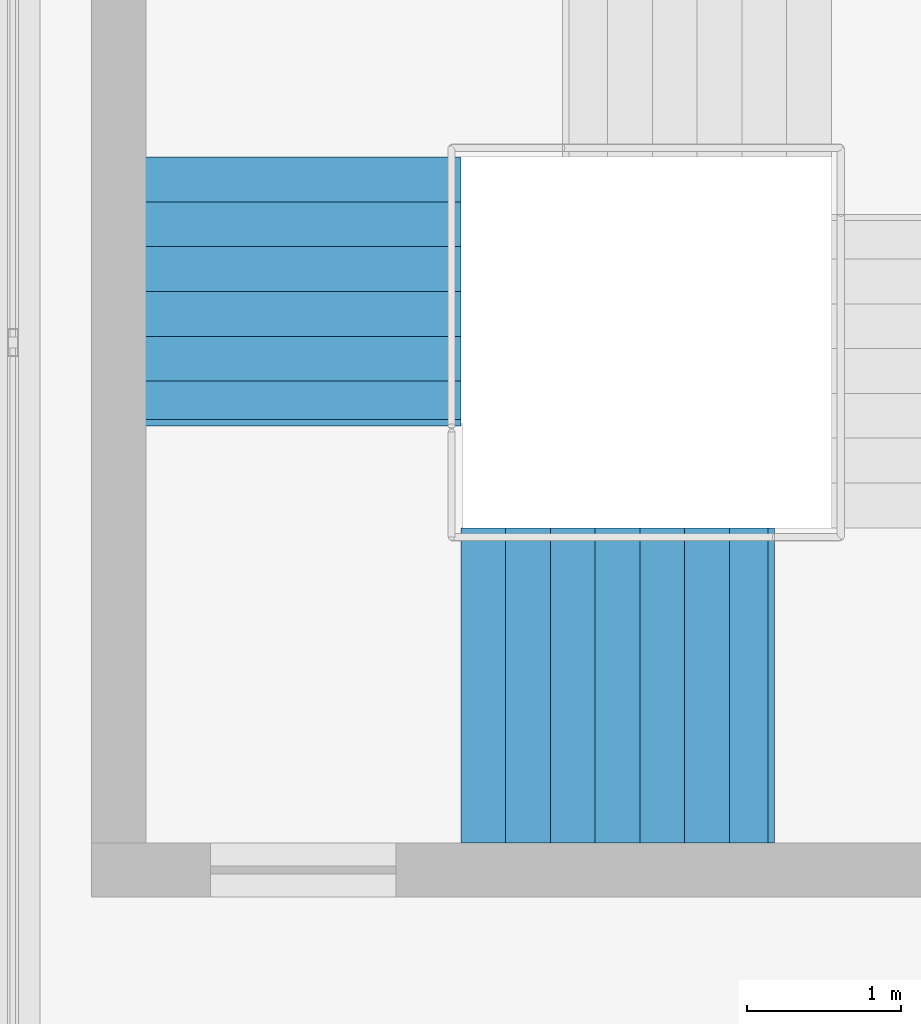
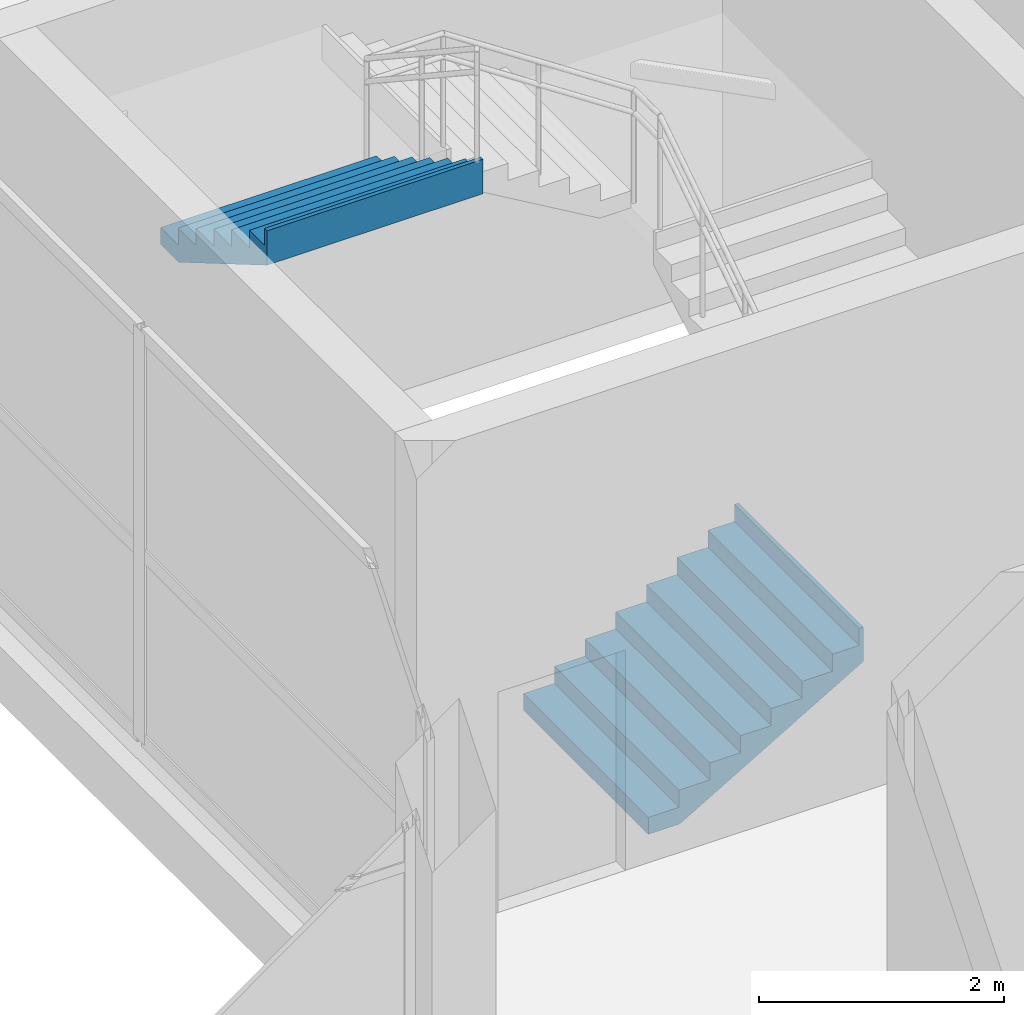
# One storey, part 53 of 58: 2 stair flights, 1 element without a shape of its own.
"""IFC4 building model written with IfcOpenShell, lengths in metres."""

from ifc_helpers import new_model, si_unit, direction, frame, origin, place, context, subcontext, project, spatial, triangles, material, type_object, element, aggregate, save


model = new_model("IFC4")

# Units and contexts
model_context = context("Model", 3, precision=1e-05, world=origin(), true_north=direction((0.0, 1.0)))
body_context = subcontext(model_context, "Body", "Model", "MODEL_VIEW")
ifc_project = project(units=[si_unit("LENGTHUNIT", "METRE"), si_unit("AREAUNIT", "SQUARE_METRE"), si_unit("VOLUMEUNIT", "CUBIC_METRE"), si_unit("PLANEANGLEUNIT", "RADIAN"), si_unit("MASSUNIT", "GRAM", prefix="KILO")], contexts=[model_context])

# Site, building, storey
site_placement = place(None, origin())
site = spatial("IfcSite", under=ifc_project, at=site_placement, CompositionType="ELEMENT")
building_placement = place(site_placement, origin())
building = spatial("IfcBuilding", under=site, at=building_placement, Name="Sillaruma Civic Art Gallery", CompositionType="ELEMENT")
storey_placement = place(building_placement, frame((0.0, 0.0, 52.02001953125)))
storey = spatial("IfcBuildingStorey", under=building, at=storey_placement, Name="L10", CompositionType="ELEMENT", Elevation=52.02001953125)

# Stair, stair flights
ifc_material = material(Name="Concrete H35 (35 MPa)", Category="concrete")
stair_type = type_object("IfcStairType", Name="STR-4F-30", PredefinedType="USERDEFINED", material=ifc_material)
stair_placement = place(storey_placement, origin())
stair = element("IfcStair", 1, at=stair_placement, inside=storey, type_object=stair_type, Name="Protected Exit Stair ST-04 (East Bar) (L10)", ObjectType="THREE_RETURN_STAIR", PredefinedType="USERDEFINED")
stair_flight_type_1 = type_object("IfcStairFlightType", Name="SFL-STR-7", PredefinedType="STRAIGHT", material=ifc_material)
stair_flight_1_placement = place(storey_placement, frame((99.8798828125, 55.64990234375, 3.909912109375), z_axis=(0.0, 0.0, 1.0), x_axis=(0.0, -1.0, 0.0)))
stair_flight_1 = element("IfcStairFlight", 2, at=stair_flight_1_placement, type_object=stair_flight_type_1, Name="ST-04 flight 4", NumberOfRisers=7, NumberOfTreads=6, PredefinedType="STRAIGHT", RiserHeight=0.17, TreadLength=0.29, context=body_context, shape_type="Tessellation", body=[
    triangles([(0.0, -1.02001953125, 0.0), (0.29, -1.02001953125, 0.0), (0.296404, -1.02001953125, 0.0), (0.58, -1.02001953125, 0.166246), (0.87, -1.02001953125, 0.336246), (1.16, -1.02001953125, 0.506246), (1.45, -1.02001953125, 0.676246), (1.69999, -1.02001953125, 0.822792), (1.73999, -1.02001953125, 0.84624), (1.73999, -1.02001953125, 1.19), (1.69999, -1.02001953125, 1.19), (1.69999, -1.02001953125, 1.02), (1.45, -1.02001953125, 1.02), (1.45, -1.02001953125, 0.85), (1.16, -1.02001953125, 0.85), (1.16, -1.02001953125, 0.68), (0.87, -1.02001953125, 0.68), (0.87, -1.02001953125, 0.51), (0.58, -1.02001953125, 0.51), (0.58, -1.02001953125, 0.34), (0.296404, -1.02001953125, 0.34), (0.29, -1.02001953125, 0.34), (0.29, -1.02001953125, 0.17), (0.0, -1.02001953125, 0.17), (0.0, -0.05, 0.0), (0.29, -0.05, 0.0), (0.296404, -0.05, 0.0), (0.58, -0.05, 0.166246), (0.87, -0.05, 0.336246), (1.16, -0.05, 0.506246), (1.45, -0.05, 0.676246), (1.69999, -0.05, 0.822792), (1.73999, -0.05, 0.84624), (1.73999, -0.05, 1.19), (1.69999, -0.05, 1.19), (1.69999, -0.05, 1.02), (1.45, -0.05, 1.02), (1.45, -0.05, 0.85), (1.16, -0.05, 0.85), (1.16, -0.05, 0.68), (0.87, -0.05, 0.68), (0.87, -0.05, 0.51), (0.58, -0.05, 0.51), (0.58, -0.05, 0.34), (0.296404, -0.05, 0.34), (0.29, -0.05, 0.34), (0.29, -0.05, 0.17), (0.0, -0.05, 0.17), (0.0, -0.0375, 0.0), (0.29, -0.0375, 0.0), (0.296404, -0.0375, 0.0), (0.58, -0.0375, 0.166246), (0.87, -0.0375, 0.336246), (1.16, -0.0375, 0.506246), (1.45, -0.0375, 0.676246), (1.69999, -0.0375, 0.822792), (1.73999, -0.0375, 0.84624), (1.73999, -0.0375, 1.19), (1.69999, -0.0375, 1.19), (1.69999, -0.0375, 1.02), (1.45, -0.0375, 1.02), (1.45, -0.0375, 0.85), (1.16, -0.0375, 0.85), (1.16, -0.0375, 0.68), (0.87, -0.0375, 0.68), (0.87, -0.0375, 0.51), (0.58, -0.0375, 0.51), (0.58, -0.0375, 0.34), (0.296404, -0.0375, 0.34), (0.29, -0.0375, 0.34), (0.29, -0.0375, 0.17), (0.0, -0.0375, 0.17), (0.0, -0.025, 0.0), (0.29, -0.025, 0.0), (0.296404, -0.025, 0.0), (0.58, -0.025, 0.166246), (0.87, -0.025, 0.336246), (1.16, -0.025, 0.506246), (1.45, -0.025, 0.676246), (1.69999, -0.025, 0.822792), (1.73999, -0.025, 0.84624), (1.73999, -0.025, 1.19), (1.69999, -0.025, 1.19), (1.69999, -0.025, 1.02), (1.45, -0.025, 1.02), (1.45, -0.025, 0.85), (1.16, -0.025, 0.85), (1.16, -0.025, 0.68), (0.87, -0.025, 0.68), (0.87, -0.025, 0.51), (0.58, -0.025, 0.51), (0.58, -0.025, 0.34), (0.296404, -0.025, 0.34), (0.29, -0.025, 0.34), (0.29, -0.025, 0.17), (0.0, -0.025, 0.17), (0.0, -0.0125, 0.0), (0.29, -0.0125, 0.0), (0.296404, -0.0125, 0.0), (0.58, -0.0125, 0.166246), (0.87, -0.0125, 0.336246), (1.16, -0.0125, 0.506246), (1.45, -0.0125, 0.676246), (1.69999, -0.0125, 0.822792), (1.73999, -0.0125, 0.84624), (1.73999, -0.0125, 1.19), (1.69999, -0.0125, 1.19), (1.69999, -0.0125, 1.02), (1.45, -0.0125, 1.02), (1.45, -0.0125, 0.85), (1.16, -0.0125, 0.85), (1.16, -0.0125, 0.68), (0.87, -0.0125, 0.68), (0.87, -0.0125, 0.51), (0.58, -0.0125, 0.51), (0.58, -0.0125, 0.34), (0.296404, -0.0125, 0.34), (0.29, -0.0125, 0.34), (0.29, -0.0125, 0.17), (0.0, -0.0125, 0.17), (0.0, 0.0, 0.0), (0.29, 0.0, 0.0), (0.296404, 0.0, 0.0), (0.58, 0.0, 0.166246), (0.87, 0.0, 0.336246), (1.16, 0.0, 0.506246), (1.45, 0.0, 0.676246), (1.69999, 0.0, 0.822792), (1.73999, 0.0, 0.84624), (1.73999, 0.0, 1.19), (1.69999, 0.0, 1.19), (1.69999, 0.0, 1.02), (1.45, 0.0, 1.02), (1.45, 0.0, 0.85), (1.16, 0.0, 0.85), (1.16, 0.0, 0.68), (0.87, 0.0, 0.68), (0.87, 0.0, 0.51), (0.58, 0.0, 0.51), (0.58, 0.0, 0.34), (0.296404, 0.0, 0.34), (0.29, 0.0, 0.34), (0.29, 0.0, 0.17), (0.0, 0.0, 0.17), (0.0, 0.0125, 0.0), (0.29, 0.0125, 0.0), (0.296404, 0.0125, 0.0), (0.58, 0.0125, 0.166246), (0.87, 0.0125, 0.336246), (1.16, 0.0125, 0.506246), (1.45, 0.0125, 0.676246), (1.69999, 0.0125, 0.822792), (1.73999, 0.0125, 0.84624), (1.73999, 0.0125, 1.19), (1.69999, 0.0125, 1.19), (1.69999, 0.0125, 1.02), (1.45, 0.0125, 1.02), (1.45, 0.0125, 0.85), (1.16, 0.0125, 0.85), (1.16, 0.0125, 0.68), (0.87, 0.0125, 0.68), (0.87, 0.0125, 0.51), (0.58, 0.0125, 0.51), (0.58, 0.0125, 0.34), (0.296404, 0.0125, 0.34), (0.29, 0.0125, 0.34), (0.29, 0.0125, 0.17), (0.0, 0.0125, 0.17), (0.0, 0.025, 0.0), (0.29, 0.025, 0.0), (0.296404, 0.025, 0.0), (0.58, 0.025, 0.166246), (0.87, 0.025, 0.336246), (1.16, 0.025, 0.506246), (1.45, 0.025, 0.676246), (1.69999, 0.025, 0.822792), (1.73999, 0.025, 0.84624), (1.73999, 0.025, 1.19), (1.69999, 0.025, 1.19), (1.69999, 0.025, 1.02), (1.45, 0.025, 1.02), (1.45, 0.025, 0.85), (1.16, 0.025, 0.85), (1.16, 0.025, 0.68), (0.87, 0.025, 0.68), (0.87, 0.025, 0.51), (0.58, 0.025, 0.51), (0.58, 0.025, 0.34), (0.296404, 0.025, 0.34), (0.29, 0.025, 0.34), (0.29, 0.025, 0.17), (0.0, 0.025, 0.17), (0.0, 0.0375, 0.0), (0.29, 0.0375, 0.0), (0.296404, 0.0375, 0.0), (0.58, 0.0375, 0.166246), (0.87, 0.0375, 0.336246), (1.16, 0.0375, 0.506246), (1.45, 0.0375, 0.676246), (1.69999, 0.0375, 0.822792), (1.73999, 0.0375, 0.84624), (1.73999, 0.0375, 1.19), (1.69999, 0.0375, 1.19), (1.69999, 0.0375, 1.02), (1.45, 0.0375, 1.02), (1.45, 0.0375, 0.85), (1.16, 0.0375, 0.85), (1.16, 0.0375, 0.68), (0.87, 0.0375, 0.68), (0.87, 0.0375, 0.51), (0.58, 0.0375, 0.51), (0.58, 0.0375, 0.34), (0.296404, 0.0375, 0.34), (0.29, 0.0375, 0.34), (0.29, 0.0375, 0.17), (0.0, 0.0375, 0.17), (0.0, 0.05, 0.0), (0.29, 0.05, 0.0), (0.296404, 0.05, 0.0), (0.58, 0.05, 0.166246), (0.87, 0.05, 0.336246), (1.16, 0.05, 0.506246), (1.45, 0.05, 0.676246), (1.69999, 0.05, 0.822792), (1.73999, 0.05, 0.84624), (1.73999, 0.05, 1.19), (1.69999, 0.05, 1.19), (1.69999, 0.05, 1.02), (1.45, 0.05, 1.02), (1.45, 0.05, 0.85), (1.16, 0.05, 0.85), (1.16, 0.05, 0.68), (0.87, 0.05, 0.68), (0.87, 0.05, 0.51), (0.58, 0.05, 0.51), (0.58, 0.05, 0.34), (0.296404, 0.05, 0.34), (0.29, 0.05, 0.34), (0.29, 0.05, 0.17), (0.0, 0.05, 0.17), (0.0, 1.02001953125, 0.0), (0.29, 1.02001953125, 0.0), (0.296404, 1.02001953125, 0.0), (0.58, 1.02001953125, 0.166246), (0.87, 1.02001953125, 0.336246), (1.16, 1.02001953125, 0.506246), (1.45, 1.02001953125, 0.676246), (1.69999, 1.02001953125, 0.822792), (1.73999, 1.02001953125, 0.84624), (1.73999, 1.02001953125, 1.19), (1.69999, 1.02001953125, 1.19), (1.69999, 1.02001953125, 1.02), (1.45, 1.02001953125, 1.02), (1.45, 1.02001953125, 0.85), (1.16, 1.02001953125, 0.85), (1.16, 1.02001953125, 0.68), (0.87, 1.02001953125, 0.68), (0.87, 1.02001953125, 0.51), (0.58, 1.02001953125, 0.51), (0.58, 1.02001953125, 0.34), (0.296404, 1.02001953125, 0.34), (0.29, 1.02001953125, 0.34), (0.29, 1.02001953125, 0.17), (0.0, 1.02001953125, 0.17)], [[1, 2, 23], [1, 23, 24], [2, 3, 21], [2, 21, 23], [23, 21, 22], [3, 4, 20], [3, 20, 21], [4, 5, 18], [4, 18, 20], [20, 18, 19], [5, 6, 16], [5, 16, 18], [18, 16, 17], [6, 7, 14], [6, 14, 16], [16, 14, 15], [7, 8, 12], [7, 12, 14], [14, 12, 13], [8, 9, 10], [8, 10, 12], [12, 10, 11], [263, 242, 241], [264, 263, 241], [261, 243, 242], [263, 261, 242], [262, 261, 263], [260, 244, 243], [261, 260, 243], [258, 245, 244], [260, 258, 244], [259, 258, 260], [256, 246, 245], [258, 256, 245], [257, 256, 258], [254, 247, 246], [256, 254, 246], [255, 254, 256], [252, 248, 247], [254, 252, 247], [253, 252, 254], [250, 249, 248], [252, 250, 248], [251, 250, 252], [2, 1, 25], [2, 25, 26], [3, 2, 26], [3, 26, 27], [4, 3, 27], [4, 27, 28], [5, 4, 28], [5, 28, 29], [6, 5, 29], [6, 29, 30], [7, 6, 30], [7, 30, 31], [8, 7, 31], [8, 31, 32], [9, 8, 32], [9, 32, 33], [10, 9, 33], [10, 33, 34], [11, 10, 34], [11, 34, 35], [12, 11, 35], [12, 35, 36], [13, 12, 36], [13, 36, 37], [14, 13, 37], [14, 37, 38], [15, 14, 38], [15, 38, 39], [16, 15, 39], [16, 39, 40], [17, 16, 40], [17, 40, 41], [18, 17, 41], [18, 41, 42], [19, 18, 42], [19, 42, 43], [20, 19, 43], [20, 43, 44], [21, 20, 44], [21, 44, 45], [22, 21, 45], [22, 45, 46], [23, 22, 46], [23, 46, 47], [24, 23, 47], [24, 47, 48], [1, 24, 48], [1, 48, 25], [26, 25, 49], [26, 49, 50], [27, 26, 50], [27, 50, 51], [28, 27, 51], [28, 51, 52], [29, 28, 52], [29, 52, 53], [30, 29, 53], [30, 53, 54], [31, 30, 54], [31, 54, 55], [32, 31, 55], [32, 55, 56], [33, 32, 56], [33, 56, 57], [34, 33, 57], [34, 57, 58], [35, 34, 58], [35, 58, 59], [36, 35, 59], [36, 59, 60], [37, 36, 60], [37, 60, 61], [38, 37, 61], [38, 61, 62], [39, 38, 62], [39, 62, 63], [40, 39, 63], [40, 63, 64], [41, 40, 64], [41, 64, 65], [42, 41, 65], [42, 65, 66], [43, 42, 66], [43, 66, 67], [44, 43, 67], [44, 67, 68], [45, 44, 68], [45, 68, 69], [46, 45, 69], [46, 69, 70], [47, 46, 70], [47, 70, 71], [48, 47, 71], [48, 71, 72], [25, 48, 72], [25, 72, 49], [50, 49, 73], [50, 73, 74], [51, 50, 74], [51, 74, 75], [52, 51, 75], [52, 75, 76], [53, 52, 76], [53, 76, 77], [54, 53, 77], [54, 77, 78], [55, 54, 78], [55, 78, 79], [56, 55, 79], [56, 79, 80], [57, 56, 80], [57, 80, 81], [58, 57, 81], [58, 81, 82], [59, 58, 82], [59, 82, 83], [60, 59, 83], [60, 83, 84], [61, 60, 84], [61, 84, 85], [62, 61, 85], [62, 85, 86], [63, 62, 86], [63, 86, 87], [64, 63, 87], [64, 87, 88], [65, 64, 88], [65, 88, 89], [66, 65, 89], [66, 89, 90], [67, 66, 90], [67, 90, 91], [68, 67, 91], [68, 91, 92], [69, 68, 92], [69, 92, 93], [70, 69, 93], [70, 93, 94], [71, 70, 94], [71, 94, 95], [72, 71, 95], [72, 95, 96], [49, 72, 96], [49, 96, 73], [74, 73, 97], [74, 97, 98], [75, 74, 98], [75, 98, 99], [76, 75, 99], [76, 99, 100], [77, 76, 100], [77, 100, 101], [78, 77, 101], [78, 101, 102], [79, 78, 102], [79, 102, 103], [80, 79, 103], [80, 103, 104], [81, 80, 104], [81, 104, 105], [82, 81, 105], [82, 105, 106], [83, 82, 106], [83, 106, 107], [84, 83, 107], [84, 107, 108], [85, 84, 108], [85, 108, 109], [86, 85, 109], [86, 109, 110], [87, 86, 110], [87, 110, 111], [88, 87, 111], [88, 111, 112], [89, 88, 112], [89, 112, 113], [90, 89, 113], [90, 113, 114], [91, 90, 114], [91, 114, 115], [92, 91, 115], [92, 115, 116], [93, 92, 116], [93, 116, 117], [94, 93, 117], [94, 117, 118], [95, 94, 118], [95, 118, 119], [96, 95, 119], [96, 119, 120], [73, 96, 120], [73, 120, 97], [98, 97, 121], [98, 121, 122], [99, 98, 122], [99, 122, 123], [100, 99, 123], [100, 123, 124], [101, 100, 124], [101, 124, 125], [102, 101, 125], [102, 125, 126], [103, 102, 126], [103, 126, 127], [104, 103, 127], [104, 127, 128], [105, 104, 128], [105, 128, 129], [106, 105, 129], [106, 129, 130], [107, 106, 130], [107, 130, 131], [108, 107, 131], [108, 131, 132], [109, 108, 132], [109, 132, 133], [110, 109, 133], [110, 133, 134], [111, 110, 134], [111, 134, 135], [112, 111, 135], [112, 135, 136], [113, 112, 136], [113, 136, 137], [114, 113, 137], [114, 137, 138], [115, 114, 138], [115, 138, 139], [116, 115, 139], [116, 139, 140], [117, 116, 140], [117, 140, 141], [118, 117, 141], [118, 141, 142], [119, 118, 142], [119, 142, 143], [120, 119, 143], [120, 143, 144], [97, 120, 144], [97, 144, 121], [122, 121, 145], [122, 145, 146], [123, 122, 146], [123, 146, 147], [124, 123, 147], [124, 147, 148], [125, 124, 148], [125, 148, 149], [126, 125, 149], [126, 149, 150], [127, 126, 150], [127, 150, 151], [128, 127, 151], [128, 151, 152], [129, 128, 152], [129, 152, 153], [130, 129, 153], [130, 153, 154], [131, 130, 154], [131, 154, 155], [132, 131, 155], [132, 155, 156], [133, 132, 156], [133, 156, 157], [134, 133, 157], [134, 157, 158], [135, 134, 158], [135, 158, 159], [136, 135, 159], [136, 159, 160], [137, 136, 160], [137, 160, 161], [138, 137, 161], [138, 161, 162], [139, 138, 162], [139, 162, 163], [140, 139, 163], [140, 163, 164], [141, 140, 164], [141, 164, 165], [142, 141, 165], [142, 165, 166], [143, 142, 166], [143, 166, 167], [144, 143, 167], [144, 167, 168], [121, 144, 168], [121, 168, 145], [146, 145, 169], [146, 169, 170], [147, 146, 170], [147, 170, 171], [148, 147, 171], [148, 171, 172], [149, 148, 172], [149, 172, 173], [150, 149, 173], [150, 173, 174], [151, 150, 174], [151, 174, 175], [152, 151, 175], [152, 175, 176], [153, 152, 176], [153, 176, 177], [154, 153, 177], [154, 177, 178], [155, 154, 178], [155, 178, 179], [156, 155, 179], [156, 179, 180], [157, 156, 180], [157, 180, 181], [158, 157, 181], [158, 181, 182], [159, 158, 182], [159, 182, 183], [160, 159, 183], [160, 183, 184], [161, 160, 184], [161, 184, 185], [162, 161, 185], [162, 185, 186], [163, 162, 186], [163, 186, 187], [164, 163, 187], [164, 187, 188], [165, 164, 188], [165, 188, 189], [166, 165, 189], [166, 189, 190], [167, 166, 190], [167, 190, 191], [168, 167, 191], [168, 191, 192], [145, 168, 192], [145, 192, 169], [170, 169, 193], [170, 193, 194], [171, 170, 194], [171, 194, 195], [172, 171, 195], [172, 195, 196], [173, 172, 196], [173, 196, 197], [174, 173, 197], [174, 197, 198], [175, 174, 198], [175, 198, 199], [176, 175, 199], [176, 199, 200], [177, 176, 200], [177, 200, 201], [178, 177, 201], [178, 201, 202], [179, 178, 202], [179, 202, 203], [180, 179, 203], [180, 203, 204], [181, 180, 204], [181, 204, 205], [182, 181, 205], [182, 205, 206], [183, 182, 206], [183, 206, 207], [184, 183, 207], [184, 207, 208], [185, 184, 208], [185, 208, 209], [186, 185, 209], [186, 209, 210], [187, 186, 210], [187, 210, 211], [188, 187, 211], [188, 211, 212], [189, 188, 212], [189, 212, 213], [190, 189, 213], [190, 213, 214], [191, 190, 214], [191, 214, 215], [192, 191, 215], [192, 215, 216], [169, 192, 216], [169, 216, 193], [194, 193, 217], [194, 217, 218], [195, 194, 218], [195, 218, 219], [196, 195, 219], [196, 219, 220], [197, 196, 220], [197, 220, 221], [198, 197, 221], [198, 221, 222], [199, 198, 222], [199, 222, 223], [200, 199, 223], [200, 223, 224], [201, 200, 224], [201, 224, 225], [202, 201, 225], [202, 225, 226], [203, 202, 226], [203, 226, 227], [204, 203, 227], [204, 227, 228], [205, 204, 228], [205, 228, 229], [206, 205, 229], [206, 229, 230], [207, 206, 230], [207, 230, 231], [208, 207, 231], [208, 231, 232], [209, 208, 232], [209, 232, 233], [210, 209, 233], [210, 233, 234], [211, 210, 234], [211, 234, 235], [212, 211, 235], [212, 235, 236], [213, 212, 236], [213, 236, 237], [214, 213, 237], [214, 237, 238], [215, 214, 238], [215, 238, 239], [216, 215, 239], [216, 239, 240], [193, 216, 240], [193, 240, 217], [218, 217, 241], [218, 241, 242], [219, 218, 242], [219, 242, 243], [220, 219, 243], [220, 243, 244], [221, 220, 244], [221, 244, 245], [222, 221, 245], [222, 245, 246], [223, 222, 246], [223, 246, 247], [224, 223, 247], [224, 247, 248], [225, 224, 248], [225, 248, 249], [226, 225, 249], [226, 249, 250], [227, 226, 250], [227, 250, 251], [228, 227, 251], [228, 251, 252], [229, 228, 252], [229, 252, 253], [230, 229, 253], [230, 253, 254], [231, 230, 254], [231, 254, 255], [232, 231, 255], [232, 255, 256], [233, 232, 256], [233, 256, 257], [234, 233, 257], [234, 257, 258], [235, 234, 258], [235, 258, 259], [236, 235, 259], [236, 259, 260], [237, 236, 260], [237, 260, 261], [238, 237, 261], [238, 261, 262], [239, 238, 262], [239, 262, 263], [240, 239, 263], [240, 263, 264], [217, 240, 264], [217, 264, 241]], closed=True),
])
stair_flight_type_2 = type_object("IfcStairFlightType", Name="SFL-STR-8", PredefinedType="STRAIGHT", material=ifc_material)
stair_flight_2_placement = place(storey_placement, frame((100.89990234375, 52.22998046875, 0.0), z_axis=(0.0, 0.0, 1.0), x_axis=(1.0, 0.0, 0.0)))
stair_flight_2 = element("IfcStairFlight", 3, at=stair_flight_2_placement, type_object=stair_flight_type_2, Name="ST-04 flight 1", NumberOfRisers=8, NumberOfTreads=7, PredefinedType="STRAIGHT", RiserHeight=0.17, TreadLength=0.29, context=body_context, shape_type="Tessellation", body=[
    triangles([(0.0, -1.02001953125, 0.0), (0.29, -1.02001953125, 0.0), (0.296443, -1.02001953125, 0.0), (0.58, -1.02001953125, 0.166223), (0.87, -1.02001953125, 0.336223), (1.16, -1.02001953125, 0.506223), (1.45, -1.02001953125, 0.676223), (1.74, -1.02001953125, 0.846223), (1.990029, -1.02001953125, 0.992792), (2.030029, -1.02001953125, 1.01624), (2.030029, -1.02001953125, 1.36), (1.990029, -1.02001953125, 1.36), (1.990029, -1.02001953125, 1.19), (1.74, -1.02001953125, 1.19), (1.74, -1.02001953125, 1.02), (1.45, -1.02001953125, 1.02), (1.45, -1.02001953125, 0.85), (1.16, -1.02001953125, 0.85), (1.16, -1.02001953125, 0.68), (0.87, -1.02001953125, 0.68), (0.87, -1.02001953125, 0.51), (0.58, -1.02001953125, 0.51), (0.58, -1.02001953125, 0.34), (0.296443, -1.02001953125, 0.34), (0.29, -1.02001953125, 0.34), (0.29, -1.02001953125, 0.17), (0.0, -1.02001953125, 0.17), (0.0, -0.05, 0.0), (0.29, -0.05, 0.0), (0.296443, -0.05, 0.0), (0.58, -0.05, 0.166223), (0.87, -0.05, 0.336223), (1.16, -0.05, 0.506223), (1.45, -0.05, 0.676223), (1.74, -0.05, 0.846223), (1.990029, -0.05, 0.992792), (2.030029, -0.05, 1.01624), (2.030029, -0.05, 1.36), (1.990029, -0.05, 1.36), (1.990029, -0.05, 1.19), (1.74, -0.05, 1.19), (1.74, -0.05, 1.02), (1.45, -0.05, 1.02), (1.45, -0.05, 0.85), (1.16, -0.05, 0.85), (1.16, -0.05, 0.68), (0.87, -0.05, 0.68), (0.87, -0.05, 0.51), (0.58, -0.05, 0.51), (0.58, -0.05, 0.34), (0.296443, -0.05, 0.34), (0.29, -0.05, 0.34), (0.29, -0.05, 0.17), (0.0, -0.05, 0.17), (0.0, -0.0375, 0.0), (0.29, -0.0375, 0.0), (0.296443, -0.0375, 0.0), (0.58, -0.0375, 0.166223), (0.87, -0.0375, 0.336223), (1.16, -0.0375, 0.506223), (1.45, -0.0375, 0.676223), (1.74, -0.0375, 0.846223), (1.990029, -0.0375, 0.992792), (2.030029, -0.0375, 1.01624), (2.030029, -0.0375, 1.36), (1.990029, -0.0375, 1.36), (1.990029, -0.0375, 1.19), (1.74, -0.0375, 1.19), (1.74, -0.0375, 1.02), (1.45, -0.0375, 1.02), (1.45, -0.0375, 0.85), (1.16, -0.0375, 0.85), (1.16, -0.0375, 0.68), (0.87, -0.0375, 0.68), (0.87, -0.0375, 0.51), (0.58, -0.0375, 0.51), (0.58, -0.0375, 0.34), (0.296443, -0.0375, 0.34), (0.29, -0.0375, 0.34), (0.29, -0.0375, 0.17), (0.0, -0.0375, 0.17), (0.0, -0.025, 0.0), (0.29, -0.025, 0.0), (0.296443, -0.025, 0.0), (0.58, -0.025, 0.166223), (0.87, -0.025, 0.336223), (1.16, -0.025, 0.506223), (1.45, -0.025, 0.676223), (1.74, -0.025, 0.846223), (1.990029, -0.025, 0.992792), (2.030029, -0.025, 1.01624), (2.030029, -0.025, 1.36), (1.990029, -0.025, 1.36), (1.990029, -0.025, 1.19), (1.74, -0.025, 1.19), (1.74, -0.025, 1.02), (1.45, -0.025, 1.02), (1.45, -0.025, 0.85), (1.16, -0.025, 0.85), (1.16, -0.025, 0.68), (0.87, -0.025, 0.68), (0.87, -0.025, 0.51), (0.58, -0.025, 0.51), (0.58, -0.025, 0.34), (0.296443, -0.025, 0.34), (0.29, -0.025, 0.34), (0.29, -0.025, 0.17), (0.0, -0.025, 0.17), (0.0, -0.0125, 0.0), (0.29, -0.0125, 0.0), (0.296443, -0.0125, 0.0), (0.58, -0.0125, 0.166223), (0.87, -0.0125, 0.336223), (1.16, -0.0125, 0.506223), (1.45, -0.0125, 0.676223), (1.74, -0.0125, 0.846223), (1.990029, -0.0125, 0.992792), (2.030029, -0.0125, 1.01624), (2.030029, -0.0125, 1.36), (1.990029, -0.0125, 1.36), (1.990029, -0.0125, 1.19), (1.74, -0.0125, 1.19), (1.74, -0.0125, 1.02), (1.45, -0.0125, 1.02), (1.45, -0.0125, 0.85), (1.16, -0.0125, 0.85), (1.16, -0.0125, 0.68), (0.87, -0.0125, 0.68), (0.87, -0.0125, 0.51), (0.58, -0.0125, 0.51), (0.58, -0.0125, 0.34), (0.296443, -0.0125, 0.34), (0.29, -0.0125, 0.34), (0.29, -0.0125, 0.17), (0.0, -0.0125, 0.17), (0.0, 0.0, 0.0), (0.29, 0.0, 0.0), (0.296443, 0.0, 0.0), (0.58, 0.0, 0.166223), (0.87, 0.0, 0.336223), (1.16, 0.0, 0.506223), (1.45, 0.0, 0.676223), (1.74, 0.0, 0.846223), (1.990029, 0.0, 0.992792), (2.030029, 0.0, 1.01624), (2.030029, 0.0, 1.36), (1.990029, 0.0, 1.36), (1.990029, 0.0, 1.19), (1.74, 0.0, 1.19), (1.74, 0.0, 1.02), (1.45, 0.0, 1.02), (1.45, 0.0, 0.85), (1.16, 0.0, 0.85), (1.16, 0.0, 0.68), (0.87, 0.0, 0.68), (0.87, 0.0, 0.51), (0.58, 0.0, 0.51), (0.58, 0.0, 0.34), (0.296443, 0.0, 0.34), (0.29, 0.0, 0.34), (0.29, 0.0, 0.17), (0.0, 0.0, 0.17), (0.0, 0.0125, 0.0), (0.29, 0.0125, 0.0), (0.296443, 0.0125, 0.0), (0.58, 0.0125, 0.166223), (0.87, 0.0125, 0.336223), (1.16, 0.0125, 0.506223), (1.45, 0.0125, 0.676223), (1.74, 0.0125, 0.846223), (1.990029, 0.0125, 0.992792), (2.030029, 0.0125, 1.01624), (2.030029, 0.0125, 1.36), (1.990029, 0.0125, 1.36), (1.990029, 0.0125, 1.19), (1.74, 0.0125, 1.19), (1.74, 0.0125, 1.02), (1.45, 0.0125, 1.02), (1.45, 0.0125, 0.85), (1.16, 0.0125, 0.85), (1.16, 0.0125, 0.68), (0.87, 0.0125, 0.68), (0.87, 0.0125, 0.51), (0.58, 0.0125, 0.51), (0.58, 0.0125, 0.34), (0.296443, 0.0125, 0.34), (0.29, 0.0125, 0.34), (0.29, 0.0125, 0.17), (0.0, 0.0125, 0.17), (0.0, 0.025, 0.0), (0.29, 0.025, 0.0), (0.296443, 0.025, 0.0), (0.58, 0.025, 0.166223), (0.87, 0.025, 0.336223), (1.16, 0.025, 0.506223), (1.45, 0.025, 0.676223), (1.74, 0.025, 0.846223), (1.990029, 0.025, 0.992792), (2.030029, 0.025, 1.01624), (2.030029, 0.025, 1.36), (1.990029, 0.025, 1.36), (1.990029, 0.025, 1.19), (1.74, 0.025, 1.19), (1.74, 0.025, 1.02), (1.45, 0.025, 1.02), (1.45, 0.025, 0.85), (1.16, 0.025, 0.85), (1.16, 0.025, 0.68), (0.87, 0.025, 0.68), (0.87, 0.025, 0.51), (0.58, 0.025, 0.51), (0.58, 0.025, 0.34), (0.296443, 0.025, 0.34), (0.29, 0.025, 0.34), (0.29, 0.025, 0.17), (0.0, 0.025, 0.17), (0.0, 0.0375, 0.0), (0.29, 0.0375, 0.0), (0.296443, 0.0375, 0.0), (0.58, 0.0375, 0.166223), (0.87, 0.0375, 0.336223), (1.16, 0.0375, 0.506223), (1.45, 0.0375, 0.676223), (1.74, 0.0375, 0.846223), (1.990029, 0.0375, 0.992792), (2.030029, 0.0375, 1.01624), (2.030029, 0.0375, 1.36), (1.990029, 0.0375, 1.36), (1.990029, 0.0375, 1.19), (1.74, 0.0375, 1.19), (1.74, 0.0375, 1.02), (1.45, 0.0375, 1.02), (1.45, 0.0375, 0.85), (1.16, 0.0375, 0.85), (1.16, 0.0375, 0.68), (0.87, 0.0375, 0.68), (0.87, 0.0375, 0.51), (0.58, 0.0375, 0.51), (0.58, 0.0375, 0.34), (0.296443, 0.0375, 0.34), (0.29, 0.0375, 0.34), (0.29, 0.0375, 0.17), (0.0, 0.0375, 0.17), (0.0, 0.05, 0.0), (0.29, 0.05, 0.0), (0.296443, 0.05, 0.0), (0.58, 0.05, 0.166223), (0.87, 0.05, 0.336223), (1.16, 0.05, 0.506223), (1.45, 0.05, 0.676223), (1.74, 0.05, 0.846223), (1.990029, 0.05, 0.992792), (2.030029, 0.05, 1.01624), (2.030029, 0.05, 1.36), (1.990029, 0.05, 1.36), (1.990029, 0.05, 1.19), (1.74, 0.05, 1.19), (1.74, 0.05, 1.02), (1.45, 0.05, 1.02), (1.45, 0.05, 0.85), (1.16, 0.05, 0.85), (1.16, 0.05, 0.68), (0.87, 0.05, 0.68), (0.87, 0.05, 0.51), (0.58, 0.05, 0.51), (0.58, 0.05, 0.34), (0.296443, 0.05, 0.34), (0.29, 0.05, 0.34), (0.29, 0.05, 0.17), (0.0, 0.05, 0.17), (0.0, 1.02001953125, 0.0), (0.29, 1.02001953125, 0.0), (0.296443, 1.02001953125, 0.0), (0.58, 1.02001953125, 0.166223), (0.87, 1.02001953125, 0.336223), (1.16, 1.02001953125, 0.506223), (1.45, 1.02001953125, 0.676223), (1.74, 1.02001953125, 0.846223), (1.990029, 1.02001953125, 0.992792), (2.030029, 1.02001953125, 1.01624), (2.030029, 1.02001953125, 1.36), (1.990029, 1.02001953125, 1.36), (1.990029, 1.02001953125, 1.19), (1.74, 1.02001953125, 1.19), (1.74, 1.02001953125, 1.02), (1.45, 1.02001953125, 1.02), (1.45, 1.02001953125, 0.85), (1.16, 1.02001953125, 0.85), (1.16, 1.02001953125, 0.68), (0.87, 1.02001953125, 0.68), (0.87, 1.02001953125, 0.51), (0.58, 1.02001953125, 0.51), (0.58, 1.02001953125, 0.34), (0.296443, 1.02001953125, 0.34), (0.29, 1.02001953125, 0.34), (0.29, 1.02001953125, 0.17), (0.0, 1.02001953125, 0.17)], [[1, 2, 26], [1, 26, 27], [2, 3, 24], [2, 24, 26], [26, 24, 25], [3, 4, 23], [3, 23, 24], [4, 5, 21], [4, 21, 23], [23, 21, 22], [5, 6, 19], [5, 19, 21], [21, 19, 20], [6, 7, 17], [6, 17, 19], [19, 17, 18], [7, 8, 15], [7, 15, 17], [17, 15, 16], [8, 9, 13], [8, 13, 15], [15, 13, 14], [9, 10, 11], [9, 11, 13], [13, 11, 12], [296, 272, 271], [297, 296, 271], [294, 273, 272], [296, 294, 272], [295, 294, 296], [293, 274, 273], [294, 293, 273], [291, 275, 274], [293, 291, 274], [292, 291, 293], [289, 276, 275], [291, 289, 275], [290, 289, 291], [287, 277, 276], [289, 287, 276], [288, 287, 289], [285, 278, 277], [287, 285, 277], [286, 285, 287], [283, 279, 278], [285, 283, 278], [284, 283, 285], [281, 280, 279], [283, 281, 279], [282, 281, 283], [2, 1, 28], [2, 28, 29], [3, 2, 29], [3, 29, 30], [4, 3, 30], [4, 30, 31], [5, 4, 31], [5, 31, 32], [6, 5, 32], [6, 32, 33], [7, 6, 33], [7, 33, 34], [8, 7, 34], [8, 34, 35], [9, 8, 35], [9, 35, 36], [10, 9, 36], [10, 36, 37], [11, 10, 37], [11, 37, 38], [12, 11, 38], [12, 38, 39], [13, 12, 39], [13, 39, 40], [14, 13, 40], [14, 40, 41], [15, 14, 41], [15, 41, 42], [16, 15, 42], [16, 42, 43], [17, 16, 43], [17, 43, 44], [18, 17, 44], [18, 44, 45], [19, 18, 45], [19, 45, 46], [20, 19, 46], [20, 46, 47], [21, 20, 47], [21, 47, 48], [22, 21, 48], [22, 48, 49], [23, 22, 49], [23, 49, 50], [24, 23, 50], [24, 50, 51], [25, 24, 51], [25, 51, 52], [26, 25, 52], [26, 52, 53], [27, 26, 53], [27, 53, 54], [1, 27, 54], [1, 54, 28], [29, 28, 55], [29, 55, 56], [30, 29, 56], [30, 56, 57], [31, 30, 57], [31, 57, 58], [32, 31, 58], [32, 58, 59], [33, 32, 59], [33, 59, 60], [34, 33, 60], [34, 60, 61], [35, 34, 61], [35, 61, 62], [36, 35, 62], [36, 62, 63], [37, 36, 63], [37, 63, 64], [38, 37, 64], [38, 64, 65], [39, 38, 65], [39, 65, 66], [40, 39, 66], [40, 66, 67], [41, 40, 67], [41, 67, 68], [42, 41, 68], [42, 68, 69], [43, 42, 69], [43, 69, 70], [44, 43, 70], [44, 70, 71], [45, 44, 71], [45, 71, 72], [46, 45, 72], [46, 72, 73], [47, 46, 73], [47, 73, 74], [48, 47, 74], [48, 74, 75], [49, 48, 75], [49, 75, 76], [50, 49, 76], [50, 76, 77], [51, 50, 77], [51, 77, 78], [52, 51, 78], [52, 78, 79], [53, 52, 79], [53, 79, 80], [54, 53, 80], [54, 80, 81], [28, 54, 81], [28, 81, 55], [56, 55, 82], [56, 82, 83], [57, 56, 83], [57, 83, 84], [58, 57, 84], [58, 84, 85], [59, 58, 85], [59, 85, 86], [60, 59, 86], [60, 86, 87], [61, 60, 87], [61, 87, 88], [62, 61, 88], [62, 88, 89], [63, 62, 89], [63, 89, 90], [64, 63, 90], [64, 90, 91], [65, 64, 91], [65, 91, 92], [66, 65, 92], [66, 92, 93], [67, 66, 93], [67, 93, 94], [68, 67, 94], [68, 94, 95], [69, 68, 95], [69, 95, 96], [70, 69, 96], [70, 96, 97], [71, 70, 97], [71, 97, 98], [72, 71, 98], [72, 98, 99], [73, 72, 99], [73, 99, 100], [74, 73, 100], [74, 100, 101], [75, 74, 101], [75, 101, 102], [76, 75, 102], [76, 102, 103], [77, 76, 103], [77, 103, 104], [78, 77, 104], [78, 104, 105], [79, 78, 105], [79, 105, 106], [80, 79, 106], [80, 106, 107], [81, 80, 107], [81, 107, 108], [55, 81, 108], [55, 108, 82], [83, 82, 109], [83, 109, 110], [84, 83, 110], [84, 110, 111], [85, 84, 111], [85, 111, 112], [86, 85, 112], [86, 112, 113], [87, 86, 113], [87, 113, 114], [88, 87, 114], [88, 114, 115], [89, 88, 115], [89, 115, 116], [90, 89, 116], [90, 116, 117], [91, 90, 117], [91, 117, 118], [92, 91, 118], [92, 118, 119], [93, 92, 119], [93, 119, 120], [94, 93, 120], [94, 120, 121], [95, 94, 121], [95, 121, 122], [96, 95, 122], [96, 122, 123], [97, 96, 123], [97, 123, 124], [98, 97, 124], [98, 124, 125], [99, 98, 125], [99, 125, 126], [100, 99, 126], [100, 126, 127], [101, 100, 127], [101, 127, 128], [102, 101, 128], [102, 128, 129], [103, 102, 129], [103, 129, 130], [104, 103, 130], [104, 130, 131], [105, 104, 131], [105, 131, 132], [106, 105, 132], [106, 132, 133], [107, 106, 133], [107, 133, 134], [108, 107, 134], [108, 134, 135], [82, 108, 135], [82, 135, 109], [110, 109, 136], [110, 136, 137], [111, 110, 137], [111, 137, 138], [112, 111, 138], [112, 138, 139], [113, 112, 139], [113, 139, 140], [114, 113, 140], [114, 140, 141], [115, 114, 141], [115, 141, 142], [116, 115, 142], [116, 142, 143], [117, 116, 143], [117, 143, 144], [118, 117, 144], [118, 144, 145], [119, 118, 145], [119, 145, 146], [120, 119, 146], [120, 146, 147], [121, 120, 147], [121, 147, 148], [122, 121, 148], [122, 148, 149], [123, 122, 149], [123, 149, 150], [124, 123, 150], [124, 150, 151], [125, 124, 151], [125, 151, 152], [126, 125, 152], [126, 152, 153], [127, 126, 153], [127, 153, 154], [128, 127, 154], [128, 154, 155], [129, 128, 155], [129, 155, 156], [130, 129, 156], [130, 156, 157], [131, 130, 157], [131, 157, 158], [132, 131, 158], [132, 158, 159], [133, 132, 159], [133, 159, 160], [134, 133, 160], [134, 160, 161], [135, 134, 161], [135, 161, 162], [109, 135, 162], [109, 162, 136], [137, 136, 163], [137, 163, 164], [138, 137, 164], [138, 164, 165], [139, 138, 165], [139, 165, 166], [140, 139, 166], [140, 166, 167], [141, 140, 167], [141, 167, 168], [142, 141, 168], [142, 168, 169], [143, 142, 169], [143, 169, 170], [144, 143, 170], [144, 170, 171], [145, 144, 171], [145, 171, 172], [146, 145, 172], [146, 172, 173], [147, 146, 173], [147, 173, 174], [148, 147, 174], [148, 174, 175], [149, 148, 175], [149, 175, 176], [150, 149, 176], [150, 176, 177], [151, 150, 177], [151, 177, 178], [152, 151, 178], [152, 178, 179], [153, 152, 179], [153, 179, 180], [154, 153, 180], [154, 180, 181], [155, 154, 181], [155, 181, 182], [156, 155, 182], [156, 182, 183], [157, 156, 183], [157, 183, 184], [158, 157, 184], [158, 184, 185], [159, 158, 185], [159, 185, 186], [160, 159, 186], [160, 186, 187], [161, 160, 187], [161, 187, 188], [162, 161, 188], [162, 188, 189], [136, 162, 189], [136, 189, 163], [164, 163, 190], [164, 190, 191], [165, 164, 191], [165, 191, 192], [166, 165, 192], [166, 192, 193], [167, 166, 193], [167, 193, 194], [168, 167, 194], [168, 194, 195], [169, 168, 195], [169, 195, 196], [170, 169, 196], [170, 196, 197], [171, 170, 197], [171, 197, 198], [172, 171, 198], [172, 198, 199], [173, 172, 199], [173, 199, 200], [174, 173, 200], [174, 200, 201], [175, 174, 201], [175, 201, 202], [176, 175, 202], [176, 202, 203], [177, 176, 203], [177, 203, 204], [178, 177, 204], [178, 204, 205], [179, 178, 205], [179, 205, 206], [180, 179, 206], [180, 206, 207], [181, 180, 207], [181, 207, 208], [182, 181, 208], [182, 208, 209], [183, 182, 209], [183, 209, 210], [184, 183, 210], [184, 210, 211], [185, 184, 211], [185, 211, 212], [186, 185, 212], [186, 212, 213], [187, 186, 213], [187, 213, 214], [188, 187, 214], [188, 214, 215], [189, 188, 215], [189, 215, 216], [163, 189, 216], [163, 216, 190], [191, 190, 217], [191, 217, 218], [192, 191, 218], [192, 218, 219], [193, 192, 219], [193, 219, 220], [194, 193, 220], [194, 220, 221], [195, 194, 221], [195, 221, 222], [196, 195, 222], [196, 222, 223], [197, 196, 223], [197, 223, 224], [198, 197, 224], [198, 224, 225], [199, 198, 225], [199, 225, 226], [200, 199, 226], [200, 226, 227], [201, 200, 227], [201, 227, 228], [202, 201, 228], [202, 228, 229], [203, 202, 229], [203, 229, 230], [204, 203, 230], [204, 230, 231], [205, 204, 231], [205, 231, 232], [206, 205, 232], [206, 232, 233], [207, 206, 233], [207, 233, 234], [208, 207, 234], [208, 234, 235], [209, 208, 235], [209, 235, 236], [210, 209, 236], [210, 236, 237], [211, 210, 237], [211, 237, 238], [212, 211, 238], [212, 238, 239], [213, 212, 239], [213, 239, 240], [214, 213, 240], [214, 240, 241], [215, 214, 241], [215, 241, 242], [216, 215, 242], [216, 242, 243], [190, 216, 243], [190, 243, 217], [218, 217, 244], [218, 244, 245], [219, 218, 245], [219, 245, 246], [220, 219, 246], [220, 246, 247], [221, 220, 247], [221, 247, 248], [222, 221, 248], [222, 248, 249], [223, 222, 249], [223, 249, 250], [224, 223, 250], [224, 250, 251], [225, 224, 251], [225, 251, 252], [226, 225, 252], [226, 252, 253], [227, 226, 253], [227, 253, 254], [228, 227, 254], [228, 254, 255], [229, 228, 255], [229, 255, 256], [230, 229, 256], [230, 256, 257], [231, 230, 257], [231, 257, 258], [232, 231, 258], [232, 258, 259], [233, 232, 259], [233, 259, 260], [234, 233, 260], [234, 260, 261], [235, 234, 261], [235, 261, 262], [236, 235, 262], [236, 262, 263], [237, 236, 263], [237, 263, 264], [238, 237, 264], [238, 264, 265], [239, 238, 265], [239, 265, 266], [240, 239, 266], [240, 266, 267], [241, 240, 267], [241, 267, 268], [242, 241, 268], [242, 268, 269], [243, 242, 269], [243, 269, 270], [217, 243, 270], [217, 270, 244], [245, 244, 271], [245, 271, 272], [246, 245, 272], [246, 272, 273], [247, 246, 273], [247, 273, 274], [248, 247, 274], [248, 274, 275], [249, 248, 275], [249, 275, 276], [250, 249, 276], [250, 276, 277], [251, 250, 277], [251, 277, 278], [252, 251, 278], [252, 278, 279], [253, 252, 279], [253, 279, 280], [254, 253, 280], [254, 280, 281], [255, 254, 281], [255, 281, 282], [256, 255, 282], [256, 282, 283], [257, 256, 283], [257, 283, 284], [258, 257, 284], [258, 284, 285], [259, 258, 285], [259, 285, 286], [260, 259, 286], [260, 286, 287], [261, 260, 287], [261, 287, 288], [262, 261, 288], [262, 288, 289], [263, 262, 289], [263, 289, 290], [264, 263, 290], [264, 290, 291], [265, 264, 291], [265, 291, 292], [266, 265, 292], [266, 292, 293], [267, 266, 293], [267, 293, 294], [268, 267, 294], [268, 294, 295], [269, 268, 295], [269, 295, 296], [270, 269, 296], [270, 296, 297], [244, 270, 297], [244, 297, 271]], closed=True),
])
aggregate(stair, [stair_flight_2, stair_flight_1])

save(model, "model.ifc")
